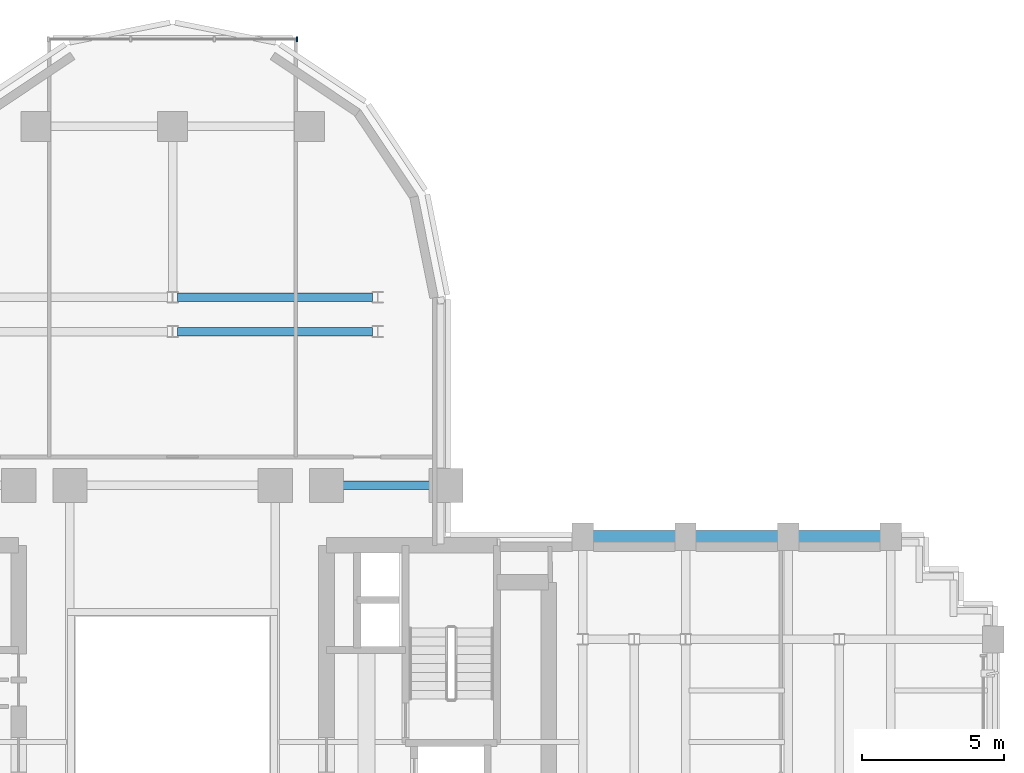
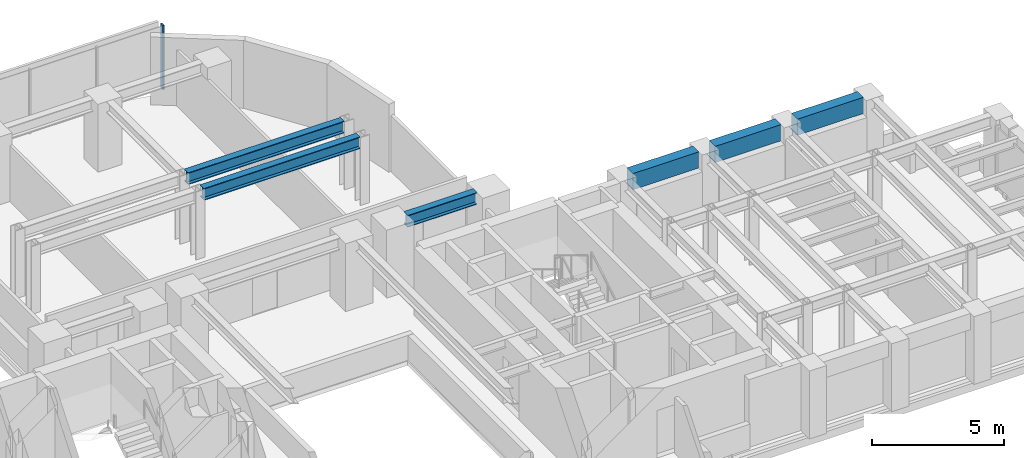
# One storey, part 8 of 16: 6 beams, 1 member, 1 element without a shape of its own.
"""IFC4 building model written with IfcOpenShell, lengths in metres."""

from ifc_helpers import new_model, si_unit, direction, frame, origin, origin_2d, place, context, subcontext, project, spatial, rectangle, i_section, extrude, source, transform, mapped, material, material_profile, profile_set, type_object, element, aggregate, save


model = new_model("IFC4")

# Units and contexts
model_context = context("Model", 3, precision=1e-05, world=origin(), true_north=direction((0.0, 1.0)))
body_context = subcontext(model_context, "Body", "Model", "MODEL_VIEW")
ifc_project = project(units=[si_unit("LENGTHUNIT", "METRE"), si_unit("AREAUNIT", "SQUARE_METRE"), si_unit("VOLUMEUNIT", "CUBIC_METRE"), si_unit("PLANEANGLEUNIT", "RADIAN"), si_unit("MASSUNIT", "GRAM", prefix="KILO")], contexts=[model_context])

# Site, building, storey
site_placement = place(None, origin())
site = spatial("IfcSite", under=ifc_project, at=site_placement, CompositionType="ELEMENT")
building_placement = place(site_placement, origin())
building = spatial("IfcBuilding", under=site, at=building_placement, Name="Keilestroom Media Tower", CompositionType="ELEMENT")
storey_placement = place(building_placement, frame((0.0, 0.0, 85.0)))
storey = spatial("IfcBuildingStorey", under=building, at=storey_placement, Name="L22", CompositionType="ELEMENT", Elevation=85.0)

# Beams
ifc_material_1 = material(Name="Steel S355", Category="steel")
ifc_material_profile_1 = material_profile(ifc_material_1, i_section(OverallWidth=0.300048828125, OverallDepth=0.550048828125, WebThickness=0.012939453125, FlangeThickness=0.029052734375, at=origin_2d()), Name="HEB 550")
ifc_profile_set_1 = profile_set([ifc_material_profile_1], Name="Steel S355")
beam_type_1 = type_object("IfcBeamType", Name="Primary-Structural-Girder-HEB-550", PredefinedType="BEAM", material=ifc_profile_set_1)
shared_shape_1 = source(origin(), body_context, "Body", "SweptSolid", [
    extrude(i_section(OverallWidth=0.300048828125, OverallDepth=0.550048828125, WebThickness=0.012939453125, FlangeThickness=0.029052734375, at=origin_2d()), origin(), (0.0, 0.0, 1.0), 6.836181640625),
])
for number, where, z_axis, x_axis, name in (
    (1, (0.181884765625, 14.39990234375, 2.864990234375), (1.0, 0.0, 0.0), (0.0, 1.0, 0.0), "L22 Beam BG-5 BM-L22-EW-046"),
    (2, (0.181884765625, 15.60009765625, 2.864990234375), (1.0, 0.0, 0.0), (0.0, 1.0, 0.0), "L22 Beam BG-5 BM-L22-EW-048"),
):
    element("IfcBeam", number, at=place(storey_placement, frame(where, z_axis=z_axis, x_axis=x_axis)), inside=storey, type_object=beam_type_1, Name=name, PredefinedType="BEAM", context=body_context, shape_type="MappedRepresentation", body=[
        mapped(shared_shape_1, transform((0.0, 0.0, 0.0), x_axis=(1.0, 0.0, 0.0), y_axis=(0.0, 1.0, 0.0), z_axis=(0.0, 0.0, 1.0), scale=1.0)),
    ])
shared_shape_2 = source(origin(), body_context, "Body", "SweptSolid", [
    extrude(i_section(OverallWidth=0.300048828125, OverallDepth=0.550048828125, WebThickness=0.012939453125, FlangeThickness=0.029052734375, at=origin_2d()), origin(), (0.0, 0.0, 1.0), 3.0400390625),
])
beam_1_placement = place(storey_placement, frame((5.97998046875, 9.0, 2.864990234375), z_axis=(1.0, 0.0, 0.0), x_axis=(0.0, 1.0, 0.0)))
element("IfcBeam", 3, at=beam_1_placement, inside=storey, type_object=beam_type_1, Name="L22 Beam BG-5 BM-L22-EW-044", PredefinedType="BEAM", context=body_context, shape_type="MappedRepresentation", body=[
    mapped(shared_shape_2, transform((0.0, 0.0, 0.0), x_axis=(1.0, 0.0, 0.0), y_axis=(0.0, 1.0, 0.0), z_axis=(0.0, 0.0, 1.0), scale=1.0)),
])
ifc_material_2 = material(Name="Precast concrete C40/50", Category="concrete")
ifc_material_profile_2 = material_profile(ifc_material_2, rectangle(XDim=0.449951171875, YDim=0.75, at=origin_2d()), Name="PC 450x750")
ifc_profile_set_2 = profile_set([ifc_material_profile_2], Name="Precast concrete C40/50")
beam_type_2 = type_object("IfcBeamType", Name="Perimeter-Spandrel-Beam-PC-450x750", PredefinedType="SPANDREL", material=ifc_profile_set_2)
shared_shape_3 = source(origin(), body_context, "Body", "SweptSolid", [
    extrude(rectangle(XDim=0.449951171875, YDim=0.75, at=origin_2d()), origin(), (0.0, 0.0, 1.0), 2.889892578125),
])
beam_2_placement = place(storey_placement, frame((21.955078125, 7.199951171875, 2.764892578125), z_axis=(1.0, 0.0, 0.0), x_axis=(0.0, 1.0, 0.0)))
element("IfcBeam", 4, at=beam_2_placement, inside=storey, type_object=beam_type_2, Name="L22 Beam SPB-1 BM-L22-EW-039", PredefinedType="SPANDREL", context=body_context, shape_type="MappedRepresentation", body=[
    mapped(shared_shape_3, transform((0.0, 0.0, 0.0), x_axis=(1.0, 0.0, 0.0), y_axis=(0.0, 1.0, 0.0), z_axis=(0.0, 0.0, 1.0), scale=1.0)),
])
shared_shape_4 = source(origin(), body_context, "Body", "SweptSolid", [
    extrude(rectangle(XDim=0.449951171875, YDim=0.75, at=origin_2d()), origin(), (0.0, 0.0, 1.0), 2.89013671875),
])
for number, where, z_axis, x_axis, name in (
    (5, (14.7548828125, 7.199951171875, 2.764892578125), (1.0, 0.0, 0.0), (0.0, 1.0, 0.0), "L22 Beam SPB-1 BM-L22-EW-037"),
    (6, (18.35498046875, 7.199951171875, 2.764892578125), (1.0, 0.0, 0.0), (0.0, 1.0, 0.0), "L22 Beam SPB-1 BM-L22-EW-038"),
):
    element("IfcBeam", number, at=place(storey_placement, frame(where, z_axis=z_axis, x_axis=x_axis)), inside=storey, type_object=beam_type_2, Name=name, PredefinedType="SPANDREL", context=body_context, shape_type="MappedRepresentation", body=[
        mapped(shared_shape_4, transform((0.0, 0.0, 0.0), x_axis=(1.0, 0.0, 0.0), y_axis=(0.0, 1.0, 0.0), z_axis=(0.0, 0.0, 1.0), scale=1.0)),
    ])

# Curtain wall, member
ifc_material_3 = material(Name="Anodised Aluminium Alloy", Category="aluminium")
curtain_wall_type = type_object("IfcCurtainWallType", Name="Unitised-Curtain-Wall-CW-6", PredefinedType="NOTDEFINED", material=ifc_material_3)
curtain_wall_placement = place(storey_placement, origin())
curtain_wall = element("IfcCurtainWall", 7, at=curtain_wall_placement, inside=storey, type_object=curtain_wall_type, Name="L22 Curtain Wall CW-6 CW-L22-LN-1", PredefinedType="NOTDEFINED")
ifc_material_profile_3 = material_profile(ifc_material_3, rectangle(XDim=0.06494140625, YDim=0.179931640625, at=origin_2d()), Name="ALU MULLION 65x180")
ifc_profile_set_3 = profile_set([ifc_material_profile_3], Name="Anodised Aluminium Alloy")
member_type = type_object("IfcMemberType", Name="Curtain-Wall-Mullion-CW-6", PredefinedType="MULLION", material=ifc_profile_set_3)
shared_shape_5 = source(origin(), body_context, "Body", "SweptSolid", [
    extrude(rectangle(XDim=0.06494140625, YDim=0.179931640625, at=origin_2d()), origin(), (0.0, 0.0, 1.0), 2.97998046875),
])
member_placement = place(storey_placement, frame((4.367431640625, 24.64990234375, 0.0), z_axis=(0.0, 0.0, 1.0), x_axis=(1.0, 0.0, 0.0)))
member = element("IfcMember", 8, at=member_placement, type_object=member_type, Name="CW-6 Mullion 03", PredefinedType="MULLION", context=body_context, shape_type="MappedRepresentation", body=[
    mapped(shared_shape_5, transform((0.0, 0.0, 0.0), x_axis=(1.0, 0.0, 0.0), y_axis=(0.0, 1.0, 0.0), z_axis=(0.0, 0.0, 1.0), scale=1.0)),
])
aggregate(curtain_wall, [member])

save(model, "model.ifc")
